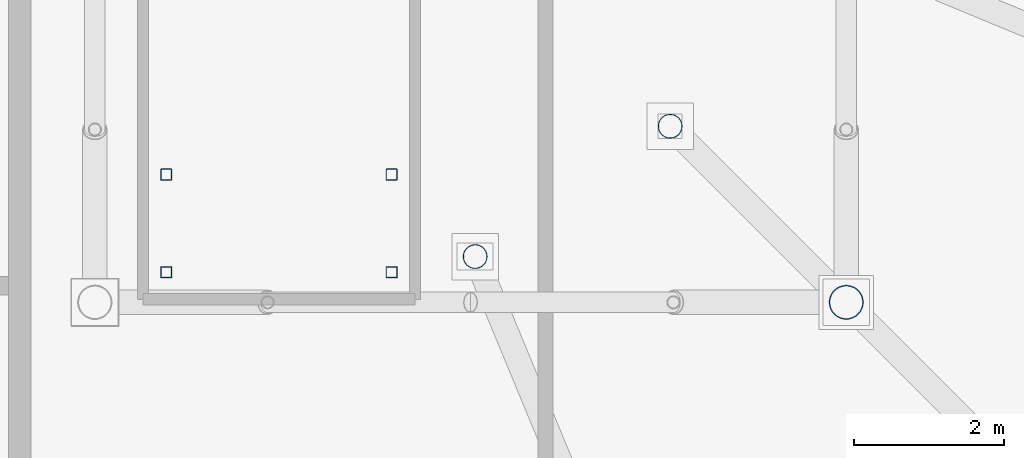
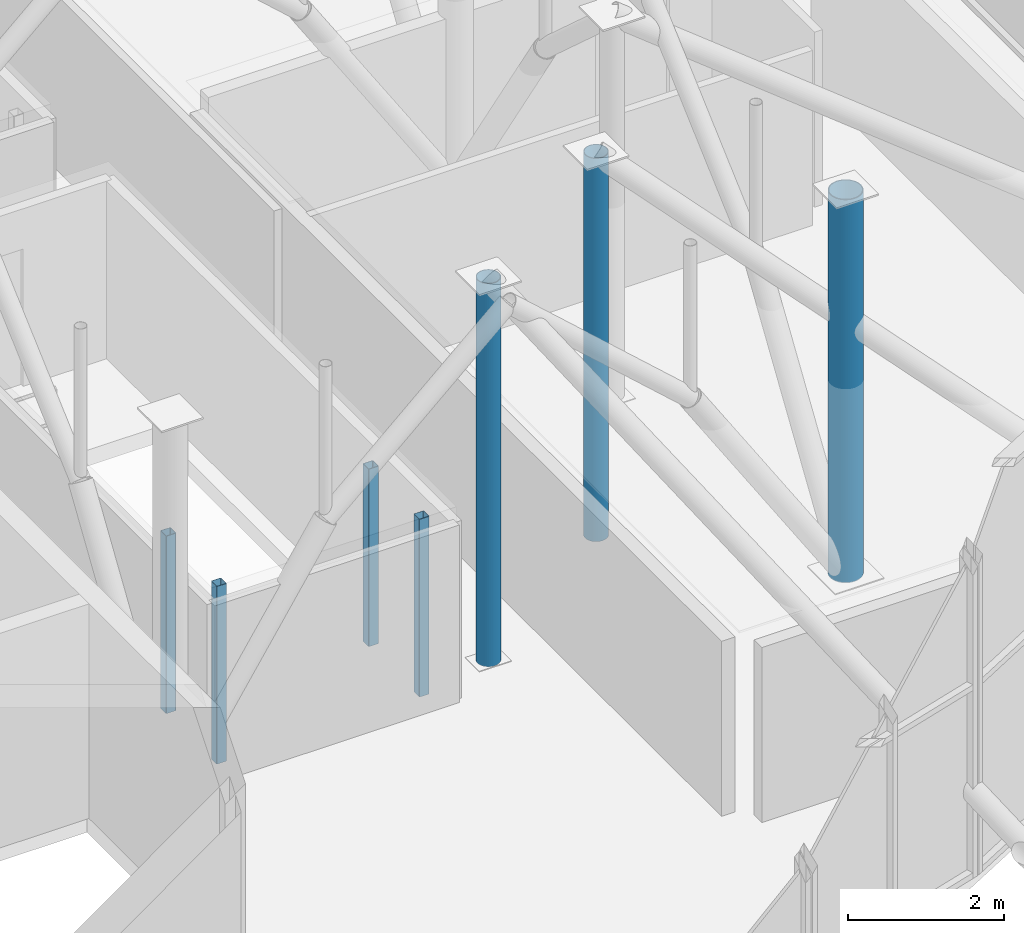
# One storey, part 9 of 109: 7 columns.
"""IFC4 building model written with IfcOpenShell, lengths in metres."""

from ifc_helpers import new_model, si_unit, derived_unit, direction, frame, origin, origin_2d_with_axis, place, context, subcontext, project, spatial, hollow_rectangle, hollow_circle, extrude, material, material_profile, profile_set, type_object, element, save


model = new_model("IFC4")

# Units and contexts
model_context = context("Model", 3, precision=1e-05, world=origin(), true_north=direction((0.0, 1.0)))
body_context = subcontext(model_context, "Body", "Model", "MODEL_VIEW")
ifc_project = project(units=[si_unit("LENGTHUNIT", "METRE"), si_unit("AREAUNIT", "SQUARE_METRE"), si_unit("VOLUMEUNIT", "CUBIC_METRE"), si_unit("PLANEANGLEUNIT", "RADIAN"), si_unit("MASSUNIT", "GRAM", prefix="KILO"), derived_unit("THERMALTRANSMITTANCEUNIT", [(si_unit("POWERUNIT", "WATT"), 1), (si_unit("LENGTHUNIT", "METRE"), -2), (si_unit("THERMODYNAMICTEMPERATUREUNIT", "KELVIN"), -1)])], contexts=[model_context])

# Site, building, storey
site_placement = place(None, origin())
site = spatial("IfcSite", under=ifc_project, at=site_placement, CompositionType="ELEMENT")
building_placement = place(site_placement, origin())
building = spatial("IfcBuilding", under=site, at=building_placement, Name="Cinnabar Yard Market Hall", CompositionType="ELEMENT")
storey_placement = place(building_placement, frame((0.0, 0.0, 8.39990234375)))
storey = spatial("IfcBuildingStorey", under=building, at=storey_placement, Name="L02", CompositionType="ELEMENT", Elevation=8.39990234375)

# Columns
ifc_material_1 = material(Name="Spotted-gum glulam-clad steel Grade 350 (350 MPa)", Category="steel")
ifc_material_profile_1 = material_profile(ifc_material_1, hollow_circle(Radius=0.228515625, WallThickness=0.0126953125, at=origin_2d_with_axis()), Name="457.0x12.7CHS")
ifc_profile_set_1 = profile_set([ifc_material_profile_1], Name="Spotted-gum glulam-clad steel Grade 350 (350 MPa)")
column_type_1 = type_object("IfcColumnType", Name="COL-C01", PredefinedType="COLUMN", material=ifc_profile_set_1)
column_placement = place(storey_placement, frame((156.0, 24.0, 0.0), z_axis=(0.0, 0.0, 1.0), x_axis=(1.0, 0.0, 0.0)))
element("IfcColumn", 1, at=column_placement, inside=storey, type_object=column_type_1, Name="Tree Column V1I-09-01 L02", PredefinedType="COLUMN", context=body_context, shape_type="SweptSolid", body=[
    extrude(hollow_circle(Radius=0.228515625, WallThickness=0.0126953125, at=origin_2d_with_axis()), origin(), (0.0, 0.0, 1.0), 6.0),
])
ifc_material_profile_2 = material_profile(ifc_material_1, hollow_circle(Radius=0.161865234375, WallThickness=0.009521484375, at=origin_2d_with_axis()), Name="323.9x9.5CHS")
ifc_profile_set_2 = profile_set([ifc_material_profile_2], Name="Spotted-gum glulam-clad steel Grade 350 (350 MPa)")
column_type_2 = type_object("IfcColumnType", Name="COL-C03", PredefinedType="COLUMN", material=ifc_profile_set_2)
for number, where, z_axis, x_axis, name in (
    (2, (151.0615234375, 24.60888671875, 0.0), (0.0, 0.0, 1.0), (1.0, 0.0, 0.0), "Tree Column V1IC-SE2 L02"),
    (3, (153.656982421875, 26.343017578125, 0.0), (0.0, 0.0, 1.0), (1.0, 0.0, 0.0), "Tree Column V1IC-SE4 L02"),
):
    element("IfcColumn", number, at=place(storey_placement, frame(where, z_axis=z_axis, x_axis=x_axis)), inside=storey, type_object=column_type_2, Name=name, PredefinedType="COLUMN", context=body_context, shape_type="SweptSolid", body=[
        extrude(hollow_circle(Radius=0.161865234375, WallThickness=0.009521484375, at=origin_2d_with_axis()), origin(), (0.0, 0.0, 1.0), 6.0),
    ])
ifc_material_2 = material(Name="Cold-formed steel C350L0", Category="steel")
ifc_material_profile_3 = material_profile(ifc_material_2, hollow_rectangle(XDim=0.14990234375, YDim=0.14990234375, WallThickness=0.006103515625, InnerFilletRadius=0.006103515625, OuterFilletRadius=0.011962890625, at=origin_2d_with_axis()), Name="150x150x6.0SHS")
ifc_profile_set_3 = profile_set([ifc_material_profile_3], Name="Cold-formed steel C350L0")
column_type_3 = type_object("IfcColumnType", Name="COL-C16", PredefinedType="COLUMN", material=ifc_profile_set_3)
for number, where, z_axis, x_axis, name in (
    (4, (146.949951171875, 24.39990234375, 0.0), (0.0, 0.0, 1.0), (1.0, 0.0, 0.0), "Feature Stair Cap Post ST-F5-1"),
    (5, (149.949951171875, 24.39990234375, 0.0), (0.0, 0.0, 1.0), (1.0, 0.0, 0.0), "Feature Stair Cap Post ST-F5-2"),
    (6, (146.949951171875, 25.699951171875, 0.0), (0.0, 0.0, 1.0), (1.0, 0.0, 0.0), "Feature Stair Cap Post ST-F5-3"),
    (7, (149.949951171875, 25.699951171875, 0.0), (0.0, 0.0, 1.0), (1.0, 0.0, 0.0), "Feature Stair Cap Post ST-F5-4"),
):
    element("IfcColumn", number, at=place(storey_placement, frame(where, z_axis=z_axis, x_axis=x_axis)), inside=storey, type_object=column_type_3, Name=name, PredefinedType="COLUMN", context=body_context, shape_type="SweptSolid", body=[
        extrude(hollow_rectangle(XDim=0.14990234375, YDim=0.14990234375, WallThickness=0.006103515625, InnerFilletRadius=0.006103515625, OuterFilletRadius=0.011962890625, at=origin_2d_with_axis()), origin(), (0.0, 0.0, 1.0), 2.780029296875),
    ])

save(model, "model.ifc")
